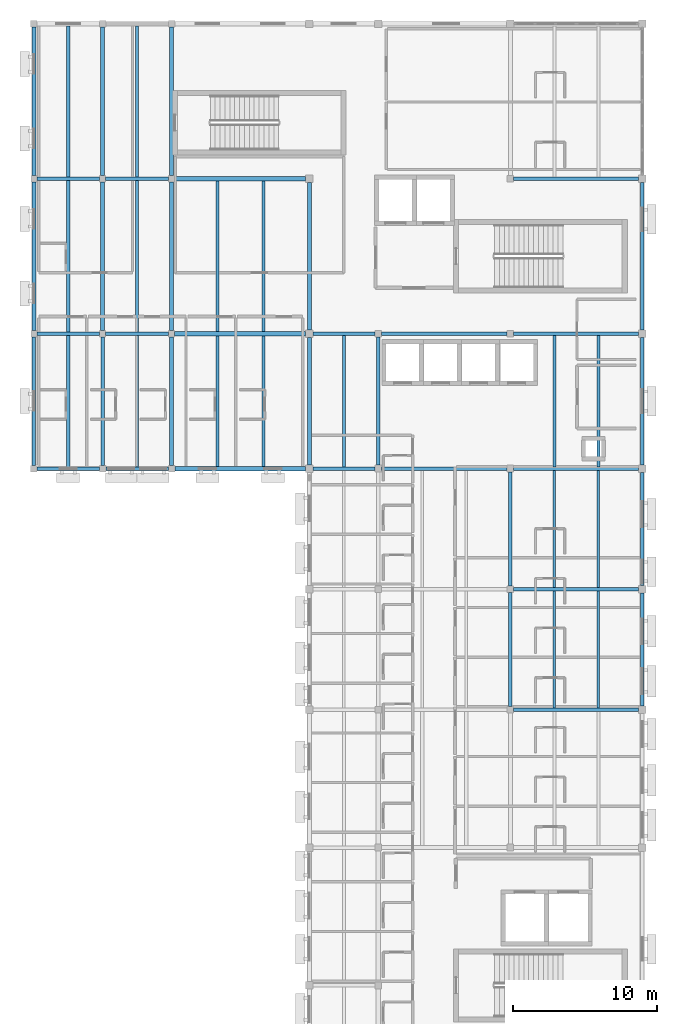
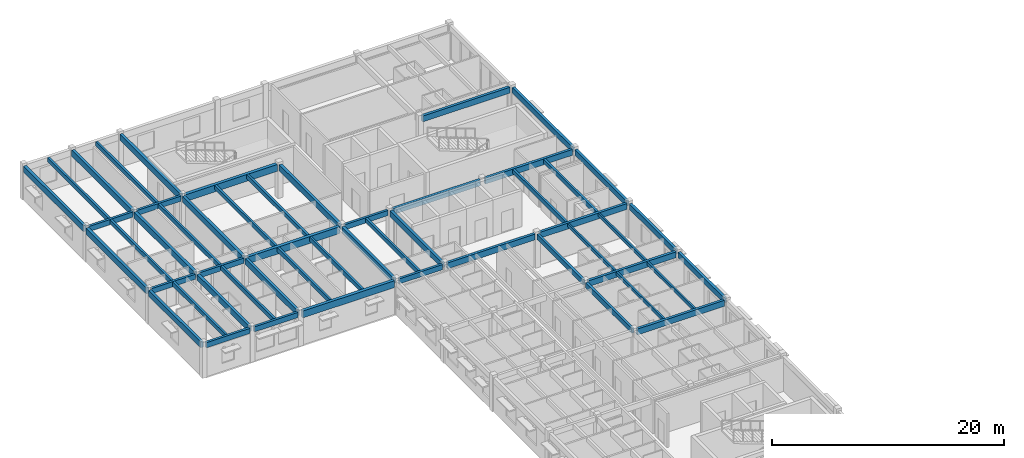
# One storey, part 2 of 20: 53 beams.
"""IFC4 building model written with IfcOpenShell, lengths in metres."""

from ifc_helpers import new_model, si_unit, direction, frame, origin, origin_2d, place, context, subcontext, project, spatial, rectangle, extrude, material, material_profile, profile_set, type_object, element, save


model = new_model("IFC4")

# Units and contexts
model_context = context("Model", 3, precision=1e-05, world=origin(), true_north=direction((0.0, 1.0)))
body_context = subcontext(model_context, "Body", "Model", "MODEL_VIEW")
ifc_project = project(units=[si_unit("LENGTHUNIT", "METRE"), si_unit("AREAUNIT", "SQUARE_METRE"), si_unit("VOLUMEUNIT", "CUBIC_METRE"), si_unit("PLANEANGLEUNIT", "RADIAN"), si_unit("MASSUNIT", "GRAM", prefix="KILO")], contexts=[model_context])

# Site, building, storey
site_placement = place(None, origin())
site = spatial("IfcSite", under=ifc_project, at=site_placement, CompositionType="ELEMENT")
building_placement = place(site_placement, origin())
building = spatial("IfcBuilding", under=site, at=building_placement, Name="Veldera Park Congress Hotel", CompositionType="ELEMENT")
storey_placement = place(building_placement, frame((0.0, 0.0, 27.60009765625)))
storey = spatial("IfcBuildingStorey", under=building, at=storey_placement, Name="L06", CompositionType="ELEMENT", Elevation=27.60009765625)

# Beams
ifc_material = material(Name="Glulam GL28h (NDS 24F-V4)", Category="wood")
ifc_material_profile_1 = material_profile(ifc_material, rectangle(XDim=0.239990234375, YDim=0.5400390625, at=origin_2d()), Name="GL28h 240x540")
ifc_profile_set_1 = profile_set([ifc_material_profile_1], Name="Glulam GL28h (NDS 24F-V4)")
beam_type_1 = type_object("IfcBeamType", Name="BM-GL540", PredefinedType="BEAM", material=ifc_profile_set_1)
for number, where, z_axis, x_axis, name in (
    (1, (41.824951171875, 27.0, 3.284912109375), (1.0, 0.0, 0.0), (0.0, 1.0, 0.0), "L06 Girder BM-GL540 1533"),
    (2, (46.625, 27.0, 3.284912109375), (1.0, 0.0, 0.0), (0.0, 1.0, 0.0), "L06 Girder BM-GL540 1534"),
):
    element("IfcBeam", number, at=place(storey_placement, frame(where, z_axis=z_axis, x_axis=x_axis)), inside=storey, type_object=beam_type_1, Name=name, PredefinedType="BEAM", context=body_context, shape_type="SweptSolid", body=[
        extrude(rectangle(XDim=0.239990234375, YDim=0.5400390625, at=origin_2d()), origin(), (0.0, 0.0, 1.0), 4.35009765625),
    ])
beam_1_placement = place(storey_placement, frame((61.06005859375, 27.0, 3.284912109375), z_axis=(1.0, 0.0, 0.0), x_axis=(0.0, 1.0, 0.0)))
element("IfcBeam", 3, at=beam_1_placement, inside=storey, type_object=beam_type_1, Name="L06 Girder BM-GL540 1536", PredefinedType="BEAM", context=body_context, shape_type="SweptSolid", body=[
    extrude(rectangle(XDim=0.239990234375, YDim=0.5400390625, at=origin_2d()), origin(), (0.0, 0.0, 1.0), 4.300048828125),
])
for number, where, z_axis, x_axis, name in (
    (4, (41.81005859375, 36.39990234375, 3.284912109375), (1.0, 0.0, 0.0), (0.0, 1.0, 0.0), "L06 Girder BM-GL540 1539"),
    (5, (46.610107421875, 36.39990234375, 3.284912109375), (1.0, 0.0, 0.0), (0.0, 1.0, 0.0), "L06 Girder BM-GL540 1540"),
):
    element("IfcBeam", number, at=place(storey_placement, frame(where, z_axis=z_axis, x_axis=x_axis)), inside=storey, type_object=beam_type_1, Name=name, PredefinedType="BEAM", context=body_context, shape_type="SweptSolid", body=[
        extrude(rectangle(XDim=0.239990234375, YDim=0.5400390625, at=origin_2d()), origin(), (0.0, 0.0, 1.0), 4.3798828125),
    ])
beam_2_placement = place(storey_placement, frame((61.06005859375, 36.39990234375, 3.284912109375), z_axis=(1.0, 0.0, 0.0), x_axis=(0.0, 1.0, 0.0)))
element("IfcBeam", 6, at=beam_2_placement, inside=storey, type_object=beam_type_1, Name="L06 Girder BM-GL540 1542", PredefinedType="BEAM", context=body_context, shape_type="SweptSolid", body=[
    extrude(rectangle(XDim=0.239990234375, YDim=0.5400390625, at=origin_2d()), origin(), (0.0, 0.0, 1.0), 4.300048828125),
])
for number, where, z_axis, x_axis, name in (
    (7, (41.81005859375, 47.199951171875, 3.284912109375), (1.0, 0.0, 0.0), (0.0, 1.0, 0.0), "L06 Girder BM-GL540 1545"),
    (8, (46.610107421875, 47.199951171875, 3.284912109375), (1.0, 0.0, 0.0), (0.0, 1.0, 0.0), "L06 Girder BM-GL540 1546"),
):
    element("IfcBeam", number, at=place(storey_placement, frame(where, z_axis=z_axis, x_axis=x_axis)), inside=storey, type_object=beam_type_1, Name=name, PredefinedType="BEAM", context=body_context, shape_type="SweptSolid", body=[
        extrude(rectangle(XDim=0.239990234375, YDim=0.5400390625, at=origin_2d()), origin(), (0.0, 0.0, 1.0), 4.3798828125),
    ])
beam_3_placement = place(storey_placement, frame((74.800048828125, 10.43994140625, 3.284912109375), z_axis=(0.0, 1.0, 0.0), x_axis=(-1.0, 0.0, 0.0)))
element("IfcBeam", 9, at=beam_3_placement, inside=storey, type_object=beam_type_1, Name="L06 Girder BM-GL540 1585", PredefinedType="BEAM", context=body_context, shape_type="SweptSolid", body=[
    extrude(rectangle(XDim=0.239990234375, YDim=0.5400390625, at=origin_2d()), origin(), (0.0, 0.0, 1.0), 7.920166015625),
])
beam_4_placement = place(storey_placement, frame((74.800048828125, 18.840087890625, 3.284912109375), z_axis=(0.0, 1.0, 0.0), x_axis=(-1.0, 0.0, 0.0)))
element("IfcBeam", 10, at=beam_4_placement, inside=storey, type_object=beam_type_1, Name="L06 Girder BM-GL540 1586", PredefinedType="BEAM", context=body_context, shape_type="SweptSolid", body=[
    extrude(rectangle(XDim=0.239990234375, YDim=0.5400390625, at=origin_2d()), origin(), (0.0, 0.0, 1.0), 7.919921875),
])
ifc_material_profile_2 = material_profile(ifc_material, rectangle(XDim=0.264892578125, YDim=0.580078125, at=origin_2d()), Name="GL28h 265x580")
ifc_profile_set_2 = profile_set([ifc_material_profile_2], Name="Glulam GL28h (NDS 24F-V4)")
beam_type_2 = type_object("IfcBeamType", Name="BM-GL540E", PredefinedType="BEAM", material=ifc_profile_set_2)
beam_5_placement = place(storey_placement, frame((84.0, 10.4599609375, 3.264892578125), z_axis=(0.0, 1.0, 0.0), x_axis=(-1.0, 0.0, 0.0)))
element("IfcBeam", 11, at=beam_5_placement, inside=storey, type_object=beam_type_2, Name="L06 Girder BM-GL540E 1594", PredefinedType="BEAM", context=body_context, shape_type="SweptSolid", body=[
    extrude(rectangle(XDim=0.264892578125, YDim=0.580078125, at=origin_2d()), origin(), (0.0, 0.0, 1.0), 7.880126953125),
])
beam_6_placement = place(storey_placement, frame((84.0, 18.860107421875, 3.264892578125), z_axis=(0.0, 1.0, 0.0), x_axis=(-1.0, 0.0, 0.0)))
element("IfcBeam", 12, at=beam_6_placement, inside=storey, type_object=beam_type_2, Name="L06 Girder BM-GL540E 1595", PredefinedType="BEAM", context=body_context, shape_type="SweptSolid", body=[
    extrude(rectangle(XDim=0.264892578125, YDim=0.580078125, at=origin_2d()), origin(), (0.0, 0.0, 1.0), 7.8798828125),
])
beam_7_placement = place(storey_placement, frame((84.0, 27.260009765625, 3.264892578125), z_axis=(0.0, 1.0, 0.0), x_axis=(-1.0, 0.0, 0.0)))
element("IfcBeam", 13, at=beam_7_placement, inside=storey, type_object=beam_type_2, Name="L06 Girder BM-GL540E 1596", PredefinedType="BEAM", context=body_context, shape_type="SweptSolid", body=[
    extrude(rectangle(XDim=0.264892578125, YDim=0.580078125, at=origin_2d()), origin(), (0.0, 0.0, 1.0), 8.8798828125),
])
beam_8_placement = place(storey_placement, frame((84.0, 36.659912109375, 3.264892578125), z_axis=(0.0, 1.0, 0.0), x_axis=(-1.0, 0.0, 0.0)))
element("IfcBeam", 14, at=beam_8_placement, inside=storey, type_object=beam_type_2, Name="L06 Girder BM-GL540E 1597", PredefinedType="BEAM", context=body_context, shape_type="SweptSolid", body=[
    extrude(rectangle(XDim=0.264892578125, YDim=0.580078125, at=origin_2d()), origin(), (0.0, 0.0, 1.0), 10.280029296875),
])
ifc_material_profile_3 = material_profile(ifc_material, rectangle(XDim=0.264892578125, YDim=0.6201171875, at=origin_2d()), Name="GL28h 265x620")
ifc_profile_set_3 = profile_set([ifc_material_profile_3], Name="Glulam GL28h (NDS 24F-V4)")
beam_type_3 = type_object("IfcBeamType", Name="BM-GL620", PredefinedType="BEAM", material=ifc_profile_set_3)
for number, where, z_axis, x_axis, name in (
    (15, (75.0400390625, 10.199951171875, 3.244873046875), (1.0, 0.0, 0.0), (0.0, 1.0, 0.0), "L06 Girder BM-GL620 1529"),
    (16, (75.0400390625, 18.60009765625, 3.244873046875), (1.0, 0.0, 0.0), (0.0, 1.0, 0.0), "L06 Girder BM-GL620 1532"),
):
    element("IfcBeam", number, at=place(storey_placement, frame(where, z_axis=z_axis, x_axis=x_axis)), inside=storey, type_object=beam_type_3, Name=name, PredefinedType="BEAM", context=body_context, shape_type="SweptSolid", body=[
        extrude(rectangle(XDim=0.264892578125, YDim=0.6201171875, at=origin_2d()), origin(), (0.0, 0.0, 1.0), 8.699951171875),
    ])
beam_9_placement = place(storey_placement, frame((65.840087890625, 27.0, 3.244873046875), z_axis=(1.0, 0.0, 0.0), x_axis=(0.0, 1.0, 0.0)))
element("IfcBeam", 17, at=beam_9_placement, inside=storey, type_object=beam_type_3, Name="L06 Girder BM-GL620 1537", PredefinedType="BEAM", context=body_context, shape_type="SweptSolid", body=[
    extrude(rectangle(XDim=0.264892578125, YDim=0.6201171875, at=origin_2d()), origin(), (0.0, 0.0, 1.0), 8.719970703125),
])
beam_10_placement = place(storey_placement, frame((75.0400390625, 27.0, 3.244873046875), z_axis=(1.0, 0.0, 0.0), x_axis=(0.0, 1.0, 0.0)))
element("IfcBeam", 18, at=beam_10_placement, inside=storey, type_object=beam_type_3, Name="L06 Girder BM-GL620 1538", PredefinedType="BEAM", context=body_context, shape_type="SweptSolid", body=[
    extrude(rectangle(XDim=0.264892578125, YDim=0.6201171875, at=origin_2d()), origin(), (0.0, 0.0, 1.0), 8.699951171875),
])
beam_11_placement = place(storey_placement, frame((65.840087890625, 36.39990234375, 3.244873046875), z_axis=(1.0, 0.0, 0.0), x_axis=(0.0, 1.0, 0.0)))
element("IfcBeam", 19, at=beam_11_placement, inside=storey, type_object=beam_type_3, Name="L06 Girder BM-GL620 1543", PredefinedType="BEAM", context=body_context, shape_type="SweptSolid", body=[
    extrude(rectangle(XDim=0.264892578125, YDim=0.6201171875, at=origin_2d()), origin(), (0.0, 0.0, 1.0), 8.719970703125),
])
for number, where, z_axis, x_axis, name in (
    (20, (75.0400390625, 36.39990234375, 3.244873046875), (1.0, 0.0, 0.0), (0.0, 1.0, 0.0), "L06 Girder BM-GL620 1544"),
    (21, (75.0400390625, 47.199951171875, 3.244873046875), (1.0, 0.0, 0.0), (0.0, 1.0, 0.0), "L06 Girder BM-GL620 1548"),
):
    element("IfcBeam", number, at=place(storey_placement, frame(where, z_axis=z_axis, x_axis=x_axis)), inside=storey, type_object=beam_type_3, Name=name, PredefinedType="BEAM", context=body_context, shape_type="SweptSolid", body=[
        extrude(rectangle(XDim=0.264892578125, YDim=0.6201171875, at=origin_2d()), origin(), (0.0, 0.0, 1.0), 8.699951171875),
    ])
for number, where, z_axis, x_axis, name in (
    (22, (41.60009765625, 27.22509765625, 3.244873046875), (0.0, 1.0, 0.0), (-1.0, 0.0, 0.0), "L06 Girder BM-GL620 1555"),
    (23, (46.39990234375, 27.22509765625, 3.244873046875), (0.0, 1.0, 0.0), (-1.0, 0.0, 0.0), "L06 Girder BM-GL620 1558"),
    (24, (51.199951171875, 27.22509765625, 3.244873046875), (0.0, 1.0, 0.0), (-1.0, 0.0, 0.0), "L06 Girder BM-GL620 1561"),
):
    element("IfcBeam", number, at=place(storey_placement, frame(where, z_axis=z_axis, x_axis=x_axis)), inside=storey, type_object=beam_type_3, Name=name, PredefinedType="BEAM", context=body_context, shape_type="SweptSolid", body=[
        extrude(rectangle(XDim=0.264892578125, YDim=0.6201171875, at=origin_2d()), origin(), (0.0, 0.0, 1.0), 8.96484375),
    ])
beam_12_placement = place(storey_placement, frame((60.800048828125, 27.260009765625, 3.244873046875), z_axis=(0.0, 1.0, 0.0), x_axis=(-1.0, 0.0, 0.0)))
element("IfcBeam", 25, at=beam_12_placement, inside=storey, type_object=beam_type_3, Name="L06 Girder BM-GL620 1572", PredefinedType="BEAM", context=body_context, shape_type="SweptSolid", body=[
    extrude(rectangle(XDim=0.264892578125, YDim=0.6201171875, at=origin_2d()), origin(), (0.0, 0.0, 1.0), 8.8798828125),
])
beam_13_placement = place(storey_placement, frame((65.60009765625, 27.239990234375, 3.244873046875), z_axis=(0.0, 1.0, 0.0), x_axis=(-1.0, 0.0, 0.0)))
element("IfcBeam", 26, at=beam_13_placement, inside=storey, type_object=beam_type_3, Name="L06 Girder BM-GL620 1580", PredefinedType="BEAM", context=body_context, shape_type="SweptSolid", body=[
    extrude(rectangle(XDim=0.264892578125, YDim=0.6201171875, at=origin_2d()), origin(), (0.0, 0.0, 1.0), 8.919921875),
])
ifc_material_profile_4 = material_profile(ifc_material, rectangle(XDim=0.280029296875, YDim=0.639892578125, at=origin_2d()), Name="GL28h 280x640")
ifc_profile_set_4 = profile_set([ifc_material_profile_4], Name="Glulam GL28h (NDS 24F-V4)")
beam_type_4 = type_object("IfcBeamType", Name="BM-GL640", PredefinedType="BEAM", material=ifc_profile_set_4)
beam_14_placement = place(storey_placement, frame((41.60009765625, 36.610107421875, 3.23486328125), z_axis=(0.0, 1.0, 0.0), x_axis=(-1.0, 0.0, 0.0)))
element("IfcBeam", 27, at=beam_14_placement, inside=storey, type_object=beam_type_4, Name="L06 Girder BM-GL640 1556", PredefinedType="BEAM", context=body_context, shape_type="SweptSolid", body=[
    extrude(rectangle(XDim=0.280029296875, YDim=0.639892578125, at=origin_2d()), origin(), (0.0, 0.0, 1.0), 10.3798828125),
])
beam_15_placement = place(storey_placement, frame((41.60009765625, 47.409912109375, 3.23486328125), z_axis=(0.0, 1.0, 0.0), x_axis=(-1.0, 0.0, 0.0)))
element("IfcBeam", 28, at=beam_15_placement, inside=storey, type_object=beam_type_4, Name="L06 Girder BM-GL640 1557", PredefinedType="BEAM", context=body_context, shape_type="SweptSolid", body=[
    extrude(rectangle(XDim=0.280029296875, YDim=0.639892578125, at=origin_2d()), origin(), (0.0, 0.0, 1.0), 10.364990234375),
])
beam_16_placement = place(storey_placement, frame((46.39990234375, 36.610107421875, 3.23486328125), z_axis=(0.0, 1.0, 0.0), x_axis=(-1.0, 0.0, 0.0)))
element("IfcBeam", 29, at=beam_16_placement, inside=storey, type_object=beam_type_4, Name="L06 Girder BM-GL640 1559", PredefinedType="BEAM", context=body_context, shape_type="SweptSolid", body=[
    extrude(rectangle(XDim=0.280029296875, YDim=0.639892578125, at=origin_2d()), origin(), (0.0, 0.0, 1.0), 10.3798828125),
])
beam_17_placement = place(storey_placement, frame((46.39990234375, 47.409912109375, 3.23486328125), z_axis=(0.0, 1.0, 0.0), x_axis=(-1.0, 0.0, 0.0)))
element("IfcBeam", 30, at=beam_17_placement, inside=storey, type_object=beam_type_4, Name="L06 Girder BM-GL640 1560", PredefinedType="BEAM", context=body_context, shape_type="SweptSolid", body=[
    extrude(rectangle(XDim=0.280029296875, YDim=0.639892578125, at=origin_2d()), origin(), (0.0, 0.0, 1.0), 10.364990234375),
])
beam_18_placement = place(storey_placement, frame((51.199951171875, 36.610107421875, 3.23486328125), z_axis=(0.0, 1.0, 0.0), x_axis=(-1.0, 0.0, 0.0)))
element("IfcBeam", 31, at=beam_18_placement, inside=storey, type_object=beam_type_4, Name="L06 Girder BM-GL640 1562", PredefinedType="BEAM", context=body_context, shape_type="SweptSolid", body=[
    extrude(rectangle(XDim=0.280029296875, YDim=0.639892578125, at=origin_2d()), origin(), (0.0, 0.0, 1.0), 10.3798828125),
])
beam_19_placement = place(storey_placement, frame((51.199951171875, 47.409912109375, 3.23486328125), z_axis=(0.0, 1.0, 0.0), x_axis=(-1.0, 0.0, 0.0)))
element("IfcBeam", 32, at=beam_19_placement, inside=storey, type_object=beam_type_4, Name="L06 Girder BM-GL640 1563", PredefinedType="BEAM", context=body_context, shape_type="SweptSolid", body=[
    extrude(rectangle(XDim=0.280029296875, YDim=0.639892578125, at=origin_2d()), origin(), (0.0, 0.0, 1.0), 10.364990234375),
])
beam_20_placement = place(storey_placement, frame((60.800048828125, 36.659912109375, 3.23486328125), z_axis=(0.0, 1.0, 0.0), x_axis=(-1.0, 0.0, 0.0)))
element("IfcBeam", 33, at=beam_20_placement, inside=storey, type_object=beam_type_4, Name="L06 Girder BM-GL640 1573", PredefinedType="BEAM", context=body_context, shape_type="SweptSolid", body=[
    extrude(rectangle(XDim=0.280029296875, YDim=0.639892578125, at=origin_2d()), origin(), (0.0, 0.0, 1.0), 10.280029296875),
])
ifc_material_profile_5 = material_profile(ifc_material, rectangle(XDim=0.31494140625, YDim=0.719970703125, at=origin_2d()), Name="GL28h 315x720")
ifc_profile_set_5 = profile_set([ifc_material_profile_5], Name="Glulam GL28h (NDS 24F-V4)")
beam_type_5 = type_object("IfcBeamType", Name="BM-GL720", PredefinedType="BEAM", material=ifc_profile_set_5)
beam_21_placement = place(storey_placement, frame((51.425048828125, 27.0, 3.19482421875), z_axis=(1.0, 0.0, 0.0), x_axis=(0.0, 1.0, 0.0)))
element("IfcBeam", 34, at=beam_21_placement, inside=storey, type_object=beam_type_5, Name="L06 Girder BM-GL720 1535", PredefinedType="BEAM", context=body_context, shape_type="SweptSolid", body=[
    extrude(rectangle(XDim=0.31494140625, YDim=0.719970703125, at=origin_2d()), origin(), (0.0, 0.0, 1.0), 9.114990234375),
])
for number, where, z_axis, x_axis, name in (
    (35, (51.409912109375, 36.39990234375, 3.19482421875), (1.0, 0.0, 0.0), (0.0, 1.0, 0.0), "L06 Girder BM-GL720 1541"),
    (36, (51.409912109375, 47.199951171875, 3.19482421875), (1.0, 0.0, 0.0), (0.0, 1.0, 0.0), "L06 Girder BM-GL720 1547"),
):
    element("IfcBeam", number, at=place(storey_placement, frame(where, z_axis=z_axis, x_axis=x_axis)), inside=storey, type_object=beam_type_5, Name=name, PredefinedType="BEAM", context=body_context, shape_type="SweptSolid", body=[
        extrude(rectangle(XDim=0.31494140625, YDim=0.719970703125, at=origin_2d()), origin(), (0.0, 0.0, 1.0), 9.130126953125),
    ])
ifc_material_profile_6 = material_profile(ifc_material, rectangle(XDim=0.179931640625, YDim=0.360107421875, at=origin_2d()), Name="GL28h 180x360")
ifc_profile_set_6 = profile_set([ifc_material_profile_6], Name="Glulam GL28h (NDS 24F-V4)")
beam_type_6 = type_object("IfcBeamType", Name="JST-GL360", PredefinedType="JOIST", material=ifc_profile_set_6)
for number, where, z_axis, x_axis, name in (
    (37, (77.86669921875, 10.33251953125, 3.375), (0.0, 1.0, 0.0), (-1.0, 0.0, 0.0), "L06 Floor Joist JST-GL360 1615"),
    (38, (80.933349609375, 10.33251953125, 3.375), (0.0, 1.0, 0.0), (-1.0, 0.0, 0.0), "L06 Floor Joist JST-GL360 1616"),
    (39, (77.86669921875, 18.732421875, 3.375), (0.0, 1.0, 0.0), (-1.0, 0.0, 0.0), "L06 Floor Joist JST-GL360 1620"),
    (40, (80.933349609375, 18.732421875, 3.375), (0.0, 1.0, 0.0), (-1.0, 0.0, 0.0), "L06 Floor Joist JST-GL360 1621"),
):
    element("IfcBeam", number, at=place(storey_placement, frame(where, z_axis=z_axis, x_axis=x_axis)), inside=storey, type_object=beam_type_6, Name=name, PredefinedType="JOIST", context=body_context, shape_type="SweptSolid", body=[
        extrude(rectangle(XDim=0.179931640625, YDim=0.360107421875, at=origin_2d()), origin(), (0.0, 0.0, 1.0), 8.135009765625),
    ])
ifc_material_profile_7 = material_profile(ifc_material, rectangle(XDim=0.215087890625, YDim=0.449951171875, at=origin_2d()), Name="GL28h 215x450")
ifc_profile_set_7 = profile_set([ifc_material_profile_7], Name="Glulam GL28h (NDS 24F-V4)")
beam_type_7 = type_object("IfcBeamType", Name="JST-GL450", PredefinedType="JOIST", material=ifc_profile_set_7)
for number, where, z_axis, x_axis, name in (
    (41, (44.0, 27.1201171875, 3.329833984375), (0.0, 1.0, 0.0), (-1.0, 0.0, 0.0), "L06 Floor Joist JST-GL450 1622"),
    (42, (48.800048828125, 27.1201171875, 3.329833984375), (0.0, 1.0, 0.0), (-1.0, 0.0, 0.0), "L06 Floor Joist JST-GL450 1623"),
):
    element("IfcBeam", number, at=place(storey_placement, frame(where, z_axis=z_axis, x_axis=x_axis)), inside=storey, type_object=beam_type_7, Name=name, PredefinedType="JOIST", context=body_context, shape_type="SweptSolid", body=[
        extrude(rectangle(XDim=0.215087890625, YDim=0.449951171875, at=origin_2d()), origin(), (0.0, 0.0, 1.0), 9.159912109375),
    ])
for number, where, z_axis, x_axis, name in (
    (43, (54.39990234375, 27.157470703125, 3.329833984375), (0.0, 1.0, 0.0), (-1.0, 0.0, 0.0), "L06 Floor Joist JST-GL450 1624"),
    (44, (57.60009765625, 27.157470703125, 3.329833984375), (0.0, 1.0, 0.0), (-1.0, 0.0, 0.0), "L06 Floor Joist JST-GL450 1625"),
):
    element("IfcBeam", number, at=place(storey_placement, frame(where, z_axis=z_axis, x_axis=x_axis)), inside=storey, type_object=beam_type_7, Name=name, PredefinedType="JOIST", context=body_context, shape_type="SweptSolid", body=[
        extrude(rectangle(XDim=0.215087890625, YDim=0.449951171875, at=origin_2d()), origin(), (0.0, 0.0, 1.0), 9.0849609375),
    ])
beam_22_placement = place(storey_placement, frame((63.199951171875, 27.1201171875, 3.329833984375), z_axis=(0.0, 1.0, 0.0), x_axis=(-1.0, 0.0, 0.0)))
element("IfcBeam", 45, at=beam_22_placement, inside=storey, type_object=beam_type_7, Name="L06 Floor Joist JST-GL450 1626", PredefinedType="JOIST", context=body_context, shape_type="SweptSolid", body=[
    extrude(rectangle(XDim=0.215087890625, YDim=0.449951171875, at=origin_2d()), origin(), (0.0, 0.0, 1.0), 9.159912109375),
])
for number, where, z_axis, x_axis, name in (
    (46, (77.86669921875, 27.132568359375, 3.329833984375), (0.0, 1.0, 0.0), (-1.0, 0.0, 0.0), "L06 Floor Joist JST-GL450 1627"),
    (47, (80.933349609375, 27.132568359375, 3.329833984375), (0.0, 1.0, 0.0), (-1.0, 0.0, 0.0), "L06 Floor Joist JST-GL450 1628"),
):
    element("IfcBeam", number, at=place(storey_placement, frame(where, z_axis=z_axis, x_axis=x_axis)), inside=storey, type_object=beam_type_7, Name=name, PredefinedType="JOIST", context=body_context, shape_type="SweptSolid", body=[
        extrude(rectangle(XDim=0.215087890625, YDim=0.449951171875, at=origin_2d()), origin(), (0.0, 0.0, 1.0), 9.135009765625),
    ])
for number, where, z_axis, x_axis, name in (
    (48, (44.0, 36.52001953125, 3.329833984375), (0.0, 1.0, 0.0), (-1.0, 0.0, 0.0), "L06 Floor Joist JST-GL450 1629"),
    (49, (48.800048828125, 36.52001953125, 3.329833984375), (0.0, 1.0, 0.0), (-1.0, 0.0, 0.0), "L06 Floor Joist JST-GL450 1630"),
):
    element("IfcBeam", number, at=place(storey_placement, frame(where, z_axis=z_axis, x_axis=x_axis)), inside=storey, type_object=beam_type_7, Name=name, PredefinedType="JOIST", context=body_context, shape_type="SweptSolid", body=[
        extrude(rectangle(XDim=0.215087890625, YDim=0.449951171875, at=origin_2d()), origin(), (0.0, 0.0, 1.0), 10.56005859375),
    ])
for number, where, z_axis, x_axis, name in (
    (50, (54.39990234375, 36.5576171875, 3.329833984375), (0.0, 1.0, 0.0), (-1.0, 0.0, 0.0), "L06 Floor Joist JST-GL450 1631"),
    (51, (57.60009765625, 36.5576171875, 3.329833984375), (0.0, 1.0, 0.0), (-1.0, 0.0, 0.0), "L06 Floor Joist JST-GL450 1632"),
):
    element("IfcBeam", number, at=place(storey_placement, frame(where, z_axis=z_axis, x_axis=x_axis)), inside=storey, type_object=beam_type_7, Name=name, PredefinedType="JOIST", context=body_context, shape_type="SweptSolid", body=[
        extrude(rectangle(XDim=0.215087890625, YDim=0.449951171875, at=origin_2d()), origin(), (0.0, 0.0, 1.0), 10.48486328125),
    ])
for number, where, z_axis, x_axis, name in (
    (52, (44.0, 47.320068359375, 3.329833984375), (0.0, 1.0, 0.0), (-1.0, 0.0, 0.0), "L06 Floor Joist JST-GL450 1633"),
    (53, (48.800048828125, 47.320068359375, 3.329833984375), (0.0, 1.0, 0.0), (-1.0, 0.0, 0.0), "L06 Floor Joist JST-GL450 1634"),
):
    element("IfcBeam", number, at=place(storey_placement, frame(where, z_axis=z_axis, x_axis=x_axis)), inside=storey, type_object=beam_type_7, Name=name, PredefinedType="JOIST", context=body_context, shape_type="SweptSolid", body=[
        extrude(rectangle(XDim=0.215087890625, YDim=0.449951171875, at=origin_2d()), origin(), (0.0, 0.0, 1.0), 10.5224609375),
    ])

save(model, "model.ifc")
